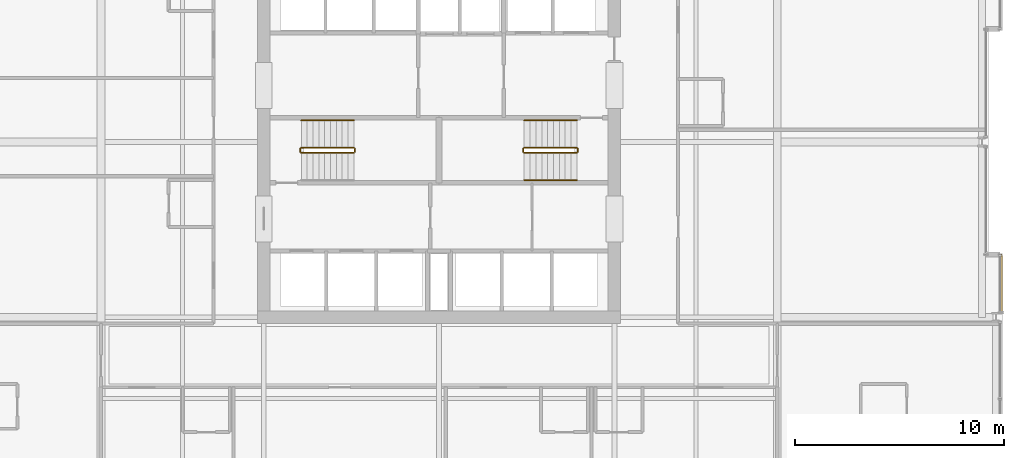
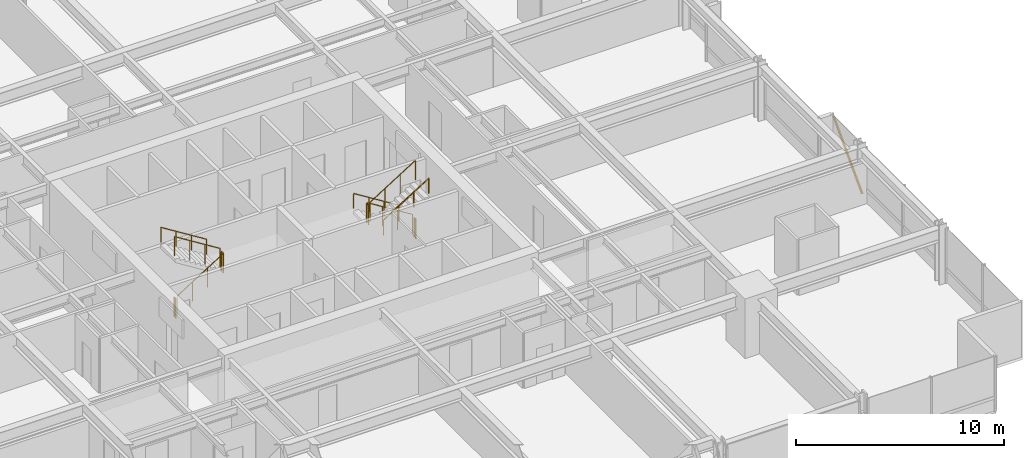
# One storey, part 36 of 37: 11 railings, 1 shading device.
"""IFC4 building model written with IfcOpenShell, lengths in metres."""

from ifc_helpers import new_model, si_unit, direction, frame, origin, origin_2d, place, context, subcontext, project, spatial, hollow_rectangle, circle, extrude, material, material_profile, profile_set, type_object, element, save


model = new_model("IFC4")

# Units and contexts
model_context = context("Model", 3, precision=1e-05, world=origin(), true_north=direction((0.0, 1.0)))
body_context = subcontext(model_context, "Body", "Model", "MODEL_VIEW")
ifc_project = project(units=[si_unit("LENGTHUNIT", "METRE"), si_unit("AREAUNIT", "SQUARE_METRE"), si_unit("VOLUMEUNIT", "CUBIC_METRE"), si_unit("PLANEANGLEUNIT", "RADIAN"), si_unit("MASSUNIT", "GRAM", prefix="KILO")], contexts=[model_context])

# Site, building, storey
site_placement = place(None, origin())
site = spatial("IfcSite", under=ifc_project, at=site_placement, CompositionType="ELEMENT")
building_placement = place(site_placement, origin())
building = spatial("IfcBuilding", under=site, at=building_placement, Name="Drelvath Grand Hotel", CompositionType="ELEMENT")
storey_placement = place(building_placement, frame((0.0, 0.0, 75.199951171875)))
storey = spatial("IfcBuildingStorey", under=building, at=storey_placement, Name="L18", CompositionType="ELEMENT", Elevation=75.199951171875)

# Railings
ifc_material_1 = material(Name="Painted Steel S275", Category="steel")
railing_type_1 = type_object("IfcRailingType", Name="Core Stair Wall Handrail 900", PredefinedType="HANDRAIL", material=ifc_material_1)
for number, where, name in (
    (1, (-4.080078125, 28.030029296875, 1.925048828125), "L18 ST-1 stair handrail 2"),
    (2, (6.60009765625, 28.030029296875, 0.175048828125), "L18 ST-2 stair handrail 1"),
):
    element("IfcRailing", number, at=place(storey_placement, frame(where)), inside=storey, type_object=railing_type_1, Name=name, PredefinedType="HANDRAIL", context=body_context, shape_type="SweptSolid", body=[
        extrude(circle(Radius=0.02392578125, at=origin_2d()), frame((0.0, 0.0, 0.8759765625), z_axis=(-0.848007534815, 0.0, 0.529984170421), x_axis=(0.0, -1.0, 0.0)), (0.0, 0.0, 1.0), 2.9716796875),
        extrude(circle(Radius=0.02099609375, at=origin_2d()), origin(), (0.0, 0.0, 1.0), 0.851806640625),
        extrude(circle(Radius=0.02099609375, at=origin_2d()), frame((-0.840087890625, 0.0, 0.52490234375)), (0.0, 0.0, 1.0), 0.851806640625),
        extrude(circle(Radius=0.02099609375, at=origin_2d()), frame((-1.679931640625, 0.0, 1.050048828125)), (0.0, 0.0, 1.0), 0.851806640625),
        extrude(circle(Radius=0.02099609375, at=origin_2d()), frame((-2.52001953125, 0.0, 1.574951171875)), (0.0, 0.0, 1.0), 0.851806640625),
    ])
railing_1_placement = place(storey_placement, frame((4.080078125, 25.169921875, 1.925048828125)))
element("IfcRailing", 3, at=railing_1_placement, inside=storey, type_object=railing_type_1, Name="L18 ST-2 stair handrail 2", PredefinedType="HANDRAIL", context=body_context, shape_type="SweptSolid", body=[
    extrude(circle(Radius=0.02392578125, at=origin_2d()), frame((0.0, 0.0, 0.8759765625), z_axis=(0.848007534815, 0.0, 0.529984170421), x_axis=(0.0, 1.0, 0.0)), (0.0, 0.0, 1.0), 2.9716796875),
    extrude(circle(Radius=0.02099609375, at=origin_2d()), origin(), (0.0, 0.0, 1.0), 0.851806640625),
    extrude(circle(Radius=0.02099609375, at=origin_2d()), frame((0.840087890625, 0.0, 0.52490234375)), (0.0, 0.0, 1.0), 0.851806640625),
    extrude(circle(Radius=0.02099609375, at=origin_2d()), frame((1.679931640625, 0.0, 1.050048828125)), (0.0, 0.0, 1.0), 0.851806640625),
    extrude(circle(Radius=0.02099609375, at=origin_2d()), frame((2.52001953125, 0.0, 1.574951171875)), (0.0, 0.0, 1.0), 0.851806640625),
])
railing_type_2 = type_object("IfcRailingType", Name="Core Stair Well Guardrail 1100", PredefinedType="GUARDRAIL", material=ifc_material_1)
railing_2_placement = place(storey_placement, frame((-6.60009765625, 26.469970703125, 0.175048828125)))
element("IfcRailing", 4, at=railing_2_placement, inside=storey, type_object=railing_type_2, Name="L18 ST-1 stair guard 1", PredefinedType="GUARDRAIL", context=body_context, shape_type="SweptSolid", body=[
    extrude(circle(Radius=0.02392578125, at=origin_2d()), frame((0.0, 0.0, 1.1259765625), z_axis=(0.848007534815, 0.0, 0.529984170421), x_axis=(0.0, 1.0, 0.0)), (0.0, 0.0, 1.0), 2.9716796875),
    extrude(circle(Radius=0.02099609375, at=origin_2d()), origin(), (0.0, 0.0, 1.0), 1.101806640625),
    extrude(circle(Radius=0.02099609375, at=origin_2d()), frame((0.840087890625, 0.0, 0.52490234375)), (0.0, 0.0, 1.0), 1.101806640625),
    extrude(circle(Radius=0.02099609375, at=origin_2d()), frame((1.679931640625, 0.0, 1.050048828125)), (0.0, 0.0, 1.0), 1.101806640625),
    extrude(circle(Radius=0.02099609375, at=origin_2d()), frame((2.52001953125, 0.0, 1.574951171875)), (0.0, 0.0, 1.0), 1.101806640625),
])
railing_3_placement = place(storey_placement, frame((-4.030029296875, 26.52001953125, 1.75)))
element("IfcRailing", 5, at=railing_3_placement, inside=storey, type_object=railing_type_2, Name="L18 ST-1 stair guard 2", PredefinedType="GUARDRAIL", context=body_context, shape_type="SweptSolid", body=[
    extrude(circle(Radius=0.02392578125, at=origin_2d()), frame((0.0, 0.0, 1.1259765625), z_axis=(0.0, 1.0, 0.0), x_axis=(-1.0, 0.0, 0.0)), (0.0, 0.0, 1.0), 0.159912109375),
    extrude(circle(Radius=0.02099609375, at=origin_2d()), origin(), (0.0, 0.0, 1.0), 1.101806640625),
    extrude(circle(Radius=0.02099609375, at=origin_2d()), frame((0.0, 0.159912109375, 0.0)), (0.0, 0.0, 1.0), 1.101806640625),
])
railing_4_placement = place(storey_placement, frame((-4.080078125, 26.72998046875, 1.925048828125)))
element("IfcRailing", 6, at=railing_4_placement, inside=storey, type_object=railing_type_2, Name="L18 ST-1 stair guard 3", PredefinedType="GUARDRAIL", context=body_context, shape_type="SweptSolid", body=[
    extrude(circle(Radius=0.02392578125, at=origin_2d()), frame((0.0, 0.0, 1.1259765625), z_axis=(-0.848007534815, 0.0, 0.529984170421), x_axis=(0.0, -1.0, 0.0)), (0.0, 0.0, 1.0), 2.9716796875),
    extrude(circle(Radius=0.02099609375, at=origin_2d()), origin(), (0.0, 0.0, 1.0), 1.101806640625),
    extrude(circle(Radius=0.02099609375, at=origin_2d()), frame((-0.840087890625, 0.0, 0.52490234375)), (0.0, 0.0, 1.0), 1.101806640625),
    extrude(circle(Radius=0.02099609375, at=origin_2d()), frame((-1.679931640625, 0.0, 1.050048828125)), (0.0, 0.0, 1.0), 1.101806640625),
    extrude(circle(Radius=0.02099609375, at=origin_2d()), frame((-2.52001953125, 0.0, 1.574951171875)), (0.0, 0.0, 1.0), 1.101806640625),
])
railing_5_placement = place(storey_placement, frame((-6.64990234375, 26.52001953125, 0.0)))
element("IfcRailing", 7, at=railing_5_placement, inside=storey, type_object=railing_type_2, Name="L18 ST-1 stair guard 4", PredefinedType="GUARDRAIL", context=body_context, shape_type="SweptSolid", body=[
    extrude(circle(Radius=0.02392578125, at=origin_2d()), frame((0.0, 0.0, 1.1259765625), z_axis=(0.0, 1.0, 0.0), x_axis=(-1.0, 0.0, 0.0)), (0.0, 0.0, 1.0), 0.159912109375),
    extrude(circle(Radius=0.02099609375, at=origin_2d()), origin(), (0.0, 0.0, 1.0), 1.101806640625),
    extrude(circle(Radius=0.02099609375, at=origin_2d()), frame((0.0, 0.159912109375, 0.0)), (0.0, 0.0, 1.0), 1.101806640625),
])
railing_6_placement = place(storey_placement, frame((6.60009765625, 26.72998046875, 0.175048828125)))
element("IfcRailing", 8, at=railing_6_placement, inside=storey, type_object=railing_type_2, Name="L18 ST-2 stair guard 1", PredefinedType="GUARDRAIL", context=body_context, shape_type="SweptSolid", body=[
    extrude(circle(Radius=0.02392578125, at=origin_2d()), frame((0.0, 0.0, 1.1259765625), z_axis=(-0.848007534815, 0.0, 0.529984170421), x_axis=(0.0, -1.0, 0.0)), (0.0, 0.0, 1.0), 2.9716796875),
    extrude(circle(Radius=0.02099609375, at=origin_2d()), origin(), (0.0, 0.0, 1.0), 1.101806640625),
    extrude(circle(Radius=0.02099609375, at=origin_2d()), frame((-0.840087890625, 0.0, 0.52490234375)), (0.0, 0.0, 1.0), 1.101806640625),
    extrude(circle(Radius=0.02099609375, at=origin_2d()), frame((-1.679931640625, 0.0, 1.050048828125)), (0.0, 0.0, 1.0), 1.101806640625),
    extrude(circle(Radius=0.02099609375, at=origin_2d()), frame((-2.52001953125, 0.0, 1.574951171875)), (0.0, 0.0, 1.0), 1.101806640625),
])
railing_7_placement = place(storey_placement, frame((4.030029296875, 26.679931640625, 1.75)))
element("IfcRailing", 9, at=railing_7_placement, inside=storey, type_object=railing_type_2, Name="L18 ST-2 stair guard 2", PredefinedType="GUARDRAIL", context=body_context, shape_type="SweptSolid", body=[
    extrude(circle(Radius=0.02392578125, at=origin_2d()), frame((0.0, 0.0, 1.1259765625), z_axis=(0.0, -1.0, 0.0), x_axis=(1.0, 0.0, 0.0)), (0.0, 0.0, 1.0), 0.159912109375),
    extrude(circle(Radius=0.02099609375, at=origin_2d()), origin(), (0.0, 0.0, 1.0), 1.101806640625),
    extrude(circle(Radius=0.02099609375, at=origin_2d()), frame((0.0, -0.159912109375, 0.0)), (0.0, 0.0, 1.0), 1.101806640625),
])
railing_8_placement = place(storey_placement, frame((4.080078125, 26.469970703125, 1.925048828125)))
element("IfcRailing", 10, at=railing_8_placement, inside=storey, type_object=railing_type_2, Name="L18 ST-2 stair guard 3", PredefinedType="GUARDRAIL", context=body_context, shape_type="SweptSolid", body=[
    extrude(circle(Radius=0.02392578125, at=origin_2d()), frame((0.0, 0.0, 1.1259765625), z_axis=(0.848007534815, 0.0, 0.529984170421), x_axis=(0.0, 1.0, 0.0)), (0.0, 0.0, 1.0), 2.9716796875),
    extrude(circle(Radius=0.02099609375, at=origin_2d()), origin(), (0.0, 0.0, 1.0), 1.101806640625),
    extrude(circle(Radius=0.02099609375, at=origin_2d()), frame((0.840087890625, 0.0, 0.52490234375)), (0.0, 0.0, 1.0), 1.101806640625),
    extrude(circle(Radius=0.02099609375, at=origin_2d()), frame((1.679931640625, 0.0, 1.050048828125)), (0.0, 0.0, 1.0), 1.101806640625),
    extrude(circle(Radius=0.02099609375, at=origin_2d()), frame((2.52001953125, 0.0, 1.574951171875)), (0.0, 0.0, 1.0), 1.101806640625),
])
railing_9_placement = place(storey_placement, frame((6.64990234375, 26.679931640625, 0.0)))
element("IfcRailing", 11, at=railing_9_placement, inside=storey, type_object=railing_type_2, Name="L18 ST-2 stair guard 4", PredefinedType="GUARDRAIL", context=body_context, shape_type="SweptSolid", body=[
    extrude(circle(Radius=0.02392578125, at=origin_2d()), frame((0.0, 0.0, 1.1259765625), z_axis=(0.0, -1.0, 0.0), x_axis=(1.0, 0.0, 0.0)), (0.0, 0.0, 1.0), 0.159912109375),
    extrude(circle(Radius=0.02099609375, at=origin_2d()), origin(), (0.0, 0.0, 1.0), 1.101806640625),
    extrude(circle(Radius=0.02099609375, at=origin_2d()), frame((0.0, -0.159912109375, 0.0)), (0.0, 0.0, 1.0), 1.101806640625),
])

# Shading device
ifc_material_2 = material(Name="Warm Bronze Anodised Aluminium", Category="aluminium")
ifc_material_profile = material_profile(ifc_material_2, hollow_rectangle(XDim=0.06494140625, YDim=0.159912109375, WallThickness=0.00390625, at=origin_2d()), Name="HSS160X65X4")
ifc_profile_set = profile_set([ifc_material_profile], Name="Warm Bronze Anodised Aluminium")
shading_device_type = type_object("IfcShadingDeviceType", Name="Diagonal Solar Fin Warm Bronze Anodised HSS160X65X4", PredefinedType="USERDEFINED", material=ifc_profile_set)
shading_device_placement = place(storey_placement, frame((26.9599609375, 18.8291015625, 0.179931640625), z_axis=(0.0, 0.693322321311, 0.720627614494), x_axis=(-1.0, 0.0, 0.0)))
element("IfcShadingDevice", 12, at=shading_device_placement, inside=storey, type_object=shading_device_type, Name="L18 Diagonal Anodised Fin CW02-L18-ES3", ObjectType="FIN", PredefinedType="USERDEFINED", context=body_context, shape_type="SweptSolid", body=[
    extrude(hollow_rectangle(XDim=0.06494140625, YDim=0.159912109375, WallThickness=0.00390625, at=origin_2d()), origin(), (0.0, 0.0, 1.0), 3.99658203125),
])

save(model, "model.ifc")
